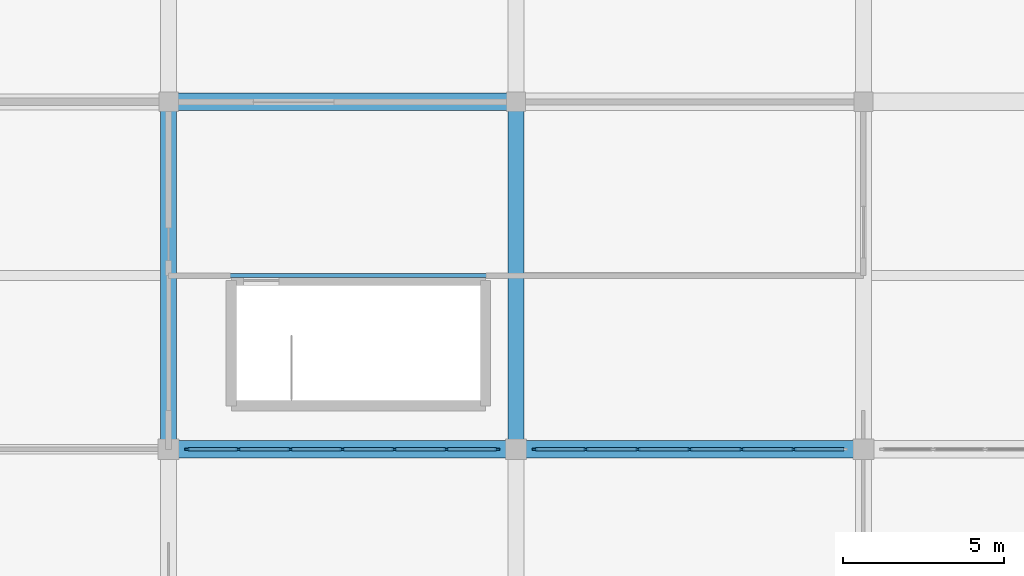
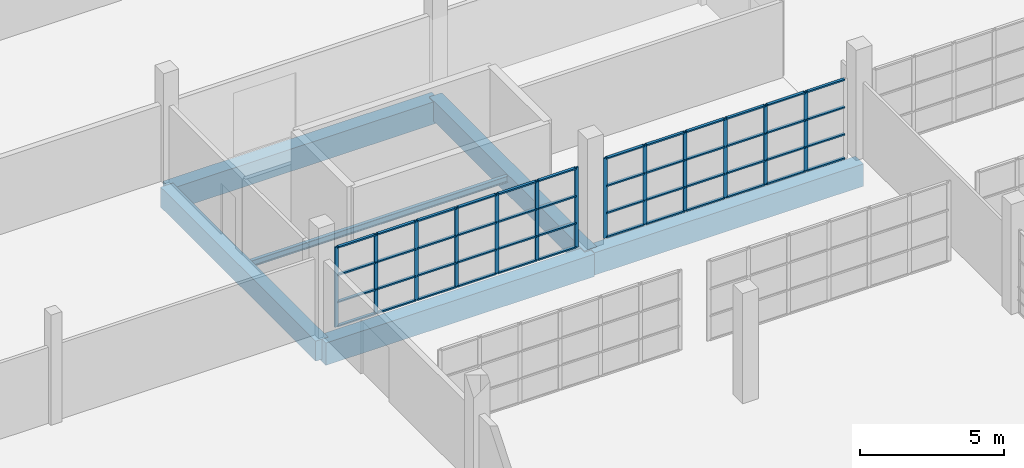
# One storey, part 46 of 142: 61 members, 6 beams, 2 elements without a shape of their own.
"""IFC4 building model written with IfcOpenShell, lengths in metres."""

from ifc_helpers import new_model, si_unit, direction, frame, origin, origin_2d, place, context, subcontext, project, spatial, rectangle, i_section, extrude, material, material_profile, profile_set, type_object, element, aggregate, save


model = new_model("IFC4")

# Units and contexts
model_context = context("Model", 3, precision=1e-05, world=origin(), true_north=direction((0.0, 1.0)))
body_context = subcontext(model_context, "Body", "Model", "MODEL_VIEW")
ifc_project = project(units=[si_unit("LENGTHUNIT", "METRE"), si_unit("AREAUNIT", "SQUARE_METRE"), si_unit("VOLUMEUNIT", "CUBIC_METRE"), si_unit("PLANEANGLEUNIT", "RADIAN"), si_unit("MASSUNIT", "GRAM", prefix="KILO")], contexts=[model_context])

# Site, building, storey
site_placement = place(None, origin())
site = spatial("IfcSite", under=ifc_project, at=site_placement, CompositionType="ELEMENT")
building_placement = place(site_placement, origin())
building = spatial("IfcBuilding", under=site, at=building_placement, Name="Zwinboog Wholesale Market", CompositionType="ELEMENT")
storey_placement = place(building_placement, frame((0.0, 0.0, 5.39990234375)))
storey = spatial("IfcBuildingStorey", under=building, at=storey_placement, Name="L01", CompositionType="ELEMENT", Elevation=5.39990234375)

# Beams
ifc_material_1 = material(Name="Precast concrete C45/55", Category="concrete")
ifc_material_profile_1 = material_profile(ifc_material_1, rectangle(XDim=0.550048828125, YDim=0.949951171875, at=origin_2d()), Name="PC 550x950")
ifc_profile_set_1 = profile_set([ifc_material_profile_1], Name="Precast concrete C45/55")
beam_type_1 = type_object("IfcBeamType", Name="BT-02", PredefinedType="BEAM", material=ifc_profile_set_1)
beam_1_placement = place(storey_placement, frame((64.800048828125, 97.199951171875, -0.806884765625), z_axis=(1.0, 0.0, 0.0), x_axis=(0.0, 1.0, 0.0)))
element("IfcBeam", 1, at=beam_1_placement, inside=storey, type_object=beam_type_1, Name="BG-02 (BMG-L01-0648-0972-0531)", PredefinedType="BEAM", context=body_context, shape_type="SweptSolid", body=[
    extrude(rectangle(XDim=0.550048828125, YDim=0.949951171875, at=origin_2d()), origin(), (0.0, 0.0, 1.0), 10.800048828125),
])
beam_2_placement = place(storey_placement, frame((75.60009765625, 97.199951171875, -0.7548828125), z_axis=(1.0, 0.0, 0.0), x_axis=(0.0, 1.0, 0.0)))
element("IfcBeam", 2, at=beam_2_placement, inside=storey, type_object=beam_type_1, Name="BG-02 (BMG-L01-0756-0972-0532)", PredefinedType="BEAM", context=body_context, shape_type="SweptSolid", body=[
    extrude(rectangle(XDim=0.550048828125, YDim=0.949951171875, at=origin_2d()), origin(), (0.0, 0.0, 1.0), 10.7998046875),
])
beam_3_placement = place(storey_placement, frame((64.800048828125, 108.0, -0.806884765625), z_axis=(1.0, 0.0, 0.0), x_axis=(0.0, 1.0, 0.0)))
element("IfcBeam", 3, at=beam_3_placement, inside=storey, type_object=beam_type_1, Name="BG-02 (BMG-L01-0648-1080-0547)", PredefinedType="BEAM", context=body_context, shape_type="SweptSolid", body=[
    extrude(rectangle(XDim=0.550048828125, YDim=0.949951171875, at=origin_2d()), origin(), (0.0, 0.0, 1.0), 10.800048828125),
])
ifc_material_profile_2 = material_profile(ifc_material_1, rectangle(XDim=0.5, YDim=0.85009765625, at=origin_2d()), Name="PC 500x850")
ifc_profile_set_2 = profile_set([ifc_material_profile_2], Name="Precast concrete C45/55")
beam_type_2 = type_object("IfcBeamType", Name="BT-03", PredefinedType="BEAM", material=ifc_profile_set_2)
for number, where, z_axis, x_axis, name in (
    (4, (64.800048828125, 97.199951171875, -0.7568359375), (0.0, 1.0, 0.0), (-1.0, 0.0, 0.0), "BG-03 (BMG-L01-0648-0972-0670)"),
    (5, (75.60009765625, 97.199951171875, -0.704833984375), (0.0, 1.0, 0.0), (-1.0, 0.0, 0.0), "BG-03 (BMG-L01-0756-0972-0678)"),
):
    element("IfcBeam", number, at=place(storey_placement, frame(where, z_axis=z_axis, x_axis=x_axis)), inside=storey, type_object=beam_type_2, Name=name, PredefinedType="BEAM", context=body_context, shape_type="SweptSolid", body=[
        extrude(rectangle(XDim=0.5, YDim=0.85009765625, at=origin_2d()), origin(), (0.0, 0.0, 1.0), 10.800048828125),
    ])
ifc_material_2 = material(Name="Steel S355", Category="steel")
ifc_material_profile_3 = material_profile(ifc_material_2, i_section(OverallWidth=0.135009765625, OverallDepth=0.27001953125, WebThickness=0.006591796875, FlangeThickness=0.01025390625, FilletRadius=0.014892578125, at=origin_2d()), Name="IPE 270")
ifc_profile_set_3 = profile_set([ifc_material_profile_3], Name="Steel S355")
beam_type_3 = type_object("IfcBeamType", Name="BT-21", PredefinedType="JOIST", material=ifc_profile_set_3)
beam_4_placement = place(storey_placement, frame((65.050048828125, 102.60009765625, -0.466796875), z_axis=(1.0, 0.0, 0.0), x_axis=(0.0, 1.0, 0.0)))
element("IfcBeam", 6, at=beam_4_placement, inside=storey, type_object=beam_type_3, Name="SJ-04 (BMG-L01-0650-1026-0824)", PredefinedType="JOIST", context=body_context, shape_type="SweptSolid", body=[
    extrude(i_section(OverallWidth=0.135009765625, OverallDepth=0.27001953125, WebThickness=0.006591796875, FlangeThickness=0.01025390625, FilletRadius=0.014892578125, at=origin_2d()), origin(), (0.0, 0.0, 1.0), 10.300048828125),
])

# Curtain wall, members
ifc_material_3 = material(Name="Aluminium thermally broken curtain wall", Category="aluminium")
curtain_wall_type = type_object("IfcCurtainWallType", Name="CWT-INT-STALL", PredefinedType="USERDEFINED", material=ifc_material_3)
curtain_wall_1_placement = place(storey_placement, origin())
curtain_wall_1 = element("IfcCurtainWall", 7, at=curtain_wall_1_placement, inside=storey, type_object=curtain_wall_type, Name="CW-07 (CW-STL-245)", ObjectType="STOREFRONT_GLAZING", PredefinedType="USERDEFINED")
ifc_material_4 = material(Name="Aluminium EN AW-6060", Category="aluminium")
ifc_material_profile_4 = material_profile(ifc_material_4, rectangle(XDim=0.06005859375, YDim=0.14990234375, at=origin_2d()), Name="AL 60x150")
ifc_profile_set_4 = profile_set([ifc_material_profile_4], Name="Aluminium EN AW-6060")
member_type_1 = type_object("IfcMemberType", Name="CWM-INT-60x120", PredefinedType="MULLION", material=ifc_profile_set_4)
member_1_placement = place(storey_placement, frame((65.3798828125, 97.199951171875, 0.0), z_axis=(0.0, 0.0, 1.0), x_axis=(0.0, 1.0, 0.0)))
member_1 = element("IfcMember", 8, at=member_1_placement, type_object=member_type_1, Name="CW-07 mullion 1", PredefinedType="MULLION", context=body_context, shape_type="SweptSolid", body=[
    extrude(rectangle(XDim=0.06005859375, YDim=0.14990234375, at=origin_2d()), origin(), (0.0, 0.0, 1.0), 3.400146484375),
])
member_2_placement = place(storey_placement, frame((66.966552734375, 97.199951171875, 0.0), z_axis=(0.0, 0.0, 1.0), x_axis=(0.0, 1.0, 0.0)))
member_2 = element("IfcMember", 9, at=member_2_placement, type_object=member_type_1, Name="CW-07 mullion 2", PredefinedType="MULLION", context=body_context, shape_type="SweptSolid", body=[
    extrude(rectangle(XDim=0.06005859375, YDim=0.14990234375, at=origin_2d()), origin(), (0.0, 0.0, 1.0), 3.400146484375),
])
member_3_placement = place(storey_placement, frame((68.583251953125, 97.199951171875, 0.0), z_axis=(0.0, 0.0, 1.0), x_axis=(0.0, 1.0, 0.0)))
member_3 = element("IfcMember", 10, at=member_3_placement, type_object=member_type_1, Name="CW-07 mullion 3", PredefinedType="MULLION", context=body_context, shape_type="SweptSolid", body=[
    extrude(rectangle(XDim=0.06005859375, YDim=0.14990234375, at=origin_2d()), origin(), (0.0, 0.0, 1.0), 3.400146484375),
])
member_4_placement = place(storey_placement, frame((70.199951171875, 97.199951171875, 0.0), z_axis=(0.0, 0.0, 1.0), x_axis=(0.0, 1.0, 0.0)))
member_4 = element("IfcMember", 11, at=member_4_placement, type_object=member_type_1, Name="CW-07 mullion 4", PredefinedType="MULLION", context=body_context, shape_type="SweptSolid", body=[
    extrude(rectangle(XDim=0.06005859375, YDim=0.14990234375, at=origin_2d()), origin(), (0.0, 0.0, 1.0), 3.400146484375),
])
member_5_placement = place(storey_placement, frame((71.816650390625, 97.199951171875, 0.0), z_axis=(0.0, 0.0, 1.0), x_axis=(0.0, 1.0, 0.0)))
member_5 = element("IfcMember", 12, at=member_5_placement, type_object=member_type_1, Name="CW-07 mullion 5", PredefinedType="MULLION", context=body_context, shape_type="SweptSolid", body=[
    extrude(rectangle(XDim=0.06005859375, YDim=0.14990234375, at=origin_2d()), origin(), (0.0, 0.0, 1.0), 3.400146484375),
])
member_6_placement = place(storey_placement, frame((73.433349609375, 97.199951171875, 0.0), z_axis=(0.0, 0.0, 1.0), x_axis=(0.0, 1.0, 0.0)))
member_6 = element("IfcMember", 13, at=member_6_placement, type_object=member_type_1, Name="CW-07 mullion 6", PredefinedType="MULLION", context=body_context, shape_type="SweptSolid", body=[
    extrude(rectangle(XDim=0.06005859375, YDim=0.14990234375, at=origin_2d()), origin(), (0.0, 0.0, 1.0), 3.400146484375),
])
member_7_placement = place(storey_placement, frame((75.02001953125, 97.199951171875, 0.0), z_axis=(0.0, 0.0, 1.0), x_axis=(0.0, 1.0, 0.0)))
member_7 = element("IfcMember", 14, at=member_7_placement, type_object=member_type_1, Name="CW-07 mullion 7", PredefinedType="MULLION", context=body_context, shape_type="SweptSolid", body=[
    extrude(rectangle(XDim=0.06005859375, YDim=0.14990234375, at=origin_2d()), origin(), (0.0, 0.0, 1.0), 3.400146484375),
])

curtain_wall_2_placement = place(storey_placement, origin())
curtain_wall_2 = element("IfcCurtainWall", 15, at=curtain_wall_2_placement, inside=storey, type_object=curtain_wall_type, Name="CW-07 (CW-STL-246)", ObjectType="STOREFRONT_GLAZING", PredefinedType="USERDEFINED")
member_8_placement = place(storey_placement, frame((76.179931640625, 97.199951171875, 0.0), z_axis=(0.0, 0.0, 1.0), x_axis=(0.0, 1.0, 0.0)))
member_8 = element("IfcMember", 16, at=member_8_placement, type_object=member_type_1, Name="CW-07 mullion 1", PredefinedType="MULLION", context=body_context, shape_type="SweptSolid", body=[
    extrude(rectangle(XDim=0.06005859375, YDim=0.14990234375, at=origin_2d()), origin(), (0.0, 0.0, 1.0), 3.400146484375),
])
member_9_placement = place(storey_placement, frame((77.7666015625, 97.199951171875, 0.0), z_axis=(0.0, 0.0, 1.0), x_axis=(0.0, 1.0, 0.0)))
member_9 = element("IfcMember", 17, at=member_9_placement, type_object=member_type_1, Name="CW-07 mullion 2", PredefinedType="MULLION", context=body_context, shape_type="SweptSolid", body=[
    extrude(rectangle(XDim=0.06005859375, YDim=0.14990234375, at=origin_2d()), origin(), (0.0, 0.0, 1.0), 3.400146484375),
])
member_10_placement = place(storey_placement, frame((79.38330078125, 97.199951171875, 0.0), z_axis=(0.0, 0.0, 1.0), x_axis=(0.0, 1.0, 0.0)))
member_10 = element("IfcMember", 18, at=member_10_placement, type_object=member_type_1, Name="CW-07 mullion 3", PredefinedType="MULLION", context=body_context, shape_type="SweptSolid", body=[
    extrude(rectangle(XDim=0.06005859375, YDim=0.14990234375, at=origin_2d()), origin(), (0.0, 0.0, 1.0), 3.400146484375),
])
member_11_placement = place(storey_placement, frame((81.0, 97.199951171875, 0.0), z_axis=(0.0, 0.0, 1.0), x_axis=(0.0, 1.0, 0.0)))
member_11 = element("IfcMember", 19, at=member_11_placement, type_object=member_type_1, Name="CW-07 mullion 4", PredefinedType="MULLION", context=body_context, shape_type="SweptSolid", body=[
    extrude(rectangle(XDim=0.06005859375, YDim=0.14990234375, at=origin_2d()), origin(), (0.0, 0.0, 1.0), 3.400146484375),
])
member_12_placement = place(storey_placement, frame((82.61669921875, 97.199951171875, 0.0), z_axis=(0.0, 0.0, 1.0), x_axis=(0.0, 1.0, 0.0)))
member_12 = element("IfcMember", 20, at=member_12_placement, type_object=member_type_1, Name="CW-07 mullion 5", PredefinedType="MULLION", context=body_context, shape_type="SweptSolid", body=[
    extrude(rectangle(XDim=0.06005859375, YDim=0.14990234375, at=origin_2d()), origin(), (0.0, 0.0, 1.0), 3.400146484375),
])
member_13_placement = place(storey_placement, frame((84.2333984375, 97.199951171875, 0.0), z_axis=(0.0, 0.0, 1.0), x_axis=(0.0, 1.0, 0.0)))
member_13 = element("IfcMember", 21, at=member_13_placement, type_object=member_type_1, Name="CW-07 mullion 6", PredefinedType="MULLION", context=body_context, shape_type="SweptSolid", body=[
    extrude(rectangle(XDim=0.06005859375, YDim=0.14990234375, at=origin_2d()), origin(), (0.0, 0.0, 1.0), 3.400146484375),
])

# Member
ifc_material_profile_5 = material_profile(ifc_material_4, rectangle(XDim=0.110107421875, YDim=0.06005859375, at=origin_2d()), Name="AL 60x110")
ifc_profile_set_5 = profile_set([ifc_material_profile_5], Name="Aluminium EN AW-6060")
member_type_2 = type_object("IfcMemberType", Name="CWT-INT-60x100", PredefinedType="USERDEFINED", material=ifc_profile_set_5)
member_14_placement = place(storey_placement, frame((65.409912109375, 97.199951171875, 0.030029296875), z_axis=(1.0, 0.0, 0.0), x_axis=(0.0, 1.0, 0.0)))
member_14 = element("IfcMember", 22, at=member_14_placement, type_object=member_type_2, Name="CW-07 transom 1.1", ObjectType="TRANSOM", PredefinedType="USERDEFINED", context=body_context, shape_type="SweptSolid", body=[
    extrude(rectangle(XDim=0.110107421875, YDim=0.06005859375, at=origin_2d()), origin(), (0.0, 0.0, 1.0), 1.52685546875),
])

member_15_placement = place(storey_placement, frame((65.409912109375, 97.199951171875, 1.050048828125), z_axis=(1.0, 0.0, 0.0), x_axis=(0.0, 1.0, 0.0)))
member_15 = element("IfcMember", 23, at=member_15_placement, type_object=member_type_2, Name="CW-07 transom 1.2", ObjectType="TRANSOM", PredefinedType="USERDEFINED", context=body_context, shape_type="SweptSolid", body=[
    extrude(rectangle(XDim=0.110107421875, YDim=0.06005859375, at=origin_2d()), origin(), (0.0, 0.0, 1.0), 1.52685546875),
])

member_16_placement = place(storey_placement, frame((65.409912109375, 97.199951171875, 2.2001953125), z_axis=(1.0, 0.0, 0.0), x_axis=(0.0, 1.0, 0.0)))
member_16 = element("IfcMember", 24, at=member_16_placement, type_object=member_type_2, Name="CW-07 transom 1.3", ObjectType="TRANSOM", PredefinedType="USERDEFINED", context=body_context, shape_type="SweptSolid", body=[
    extrude(rectangle(XDim=0.110107421875, YDim=0.06005859375, at=origin_2d()), origin(), (0.0, 0.0, 1.0), 1.52685546875),
])

member_17_placement = place(storey_placement, frame((65.409912109375, 97.199951171875, 3.3701171875), z_axis=(1.0, 0.0, 0.0), x_axis=(0.0, 1.0, 0.0)))
member_17 = element("IfcMember", 25, at=member_17_placement, type_object=member_type_2, Name="CW-07 transom 1.4", ObjectType="TRANSOM", PredefinedType="USERDEFINED", context=body_context, shape_type="SweptSolid", body=[
    extrude(rectangle(XDim=0.110107421875, YDim=0.06005859375, at=origin_2d()), origin(), (0.0, 0.0, 1.0), 1.52685546875),
])

member_18_placement = place(storey_placement, frame((66.99658203125, 97.199951171875, 0.030029296875), z_axis=(1.0, 0.0, 0.0), x_axis=(0.0, 1.0, 0.0)))
member_18 = element("IfcMember", 26, at=member_18_placement, type_object=member_type_2, Name="CW-07 transom 2.1", ObjectType="TRANSOM", PredefinedType="USERDEFINED", context=body_context, shape_type="SweptSolid", body=[
    extrude(rectangle(XDim=0.110107421875, YDim=0.06005859375, at=origin_2d()), origin(), (0.0, 0.0, 1.0), 1.556640625),
])

member_19_placement = place(storey_placement, frame((66.99658203125, 97.199951171875, 1.050048828125), z_axis=(1.0, 0.0, 0.0), x_axis=(0.0, 1.0, 0.0)))
member_19 = element("IfcMember", 27, at=member_19_placement, type_object=member_type_2, Name="CW-07 transom 2.2", ObjectType="TRANSOM", PredefinedType="USERDEFINED", context=body_context, shape_type="SweptSolid", body=[
    extrude(rectangle(XDim=0.110107421875, YDim=0.06005859375, at=origin_2d()), origin(), (0.0, 0.0, 1.0), 1.556640625),
])

member_20_placement = place(storey_placement, frame((66.99658203125, 97.199951171875, 2.2001953125), z_axis=(1.0, 0.0, 0.0), x_axis=(0.0, 1.0, 0.0)))
member_20 = element("IfcMember", 28, at=member_20_placement, type_object=member_type_2, Name="CW-07 transom 2.3", ObjectType="TRANSOM", PredefinedType="USERDEFINED", context=body_context, shape_type="SweptSolid", body=[
    extrude(rectangle(XDim=0.110107421875, YDim=0.06005859375, at=origin_2d()), origin(), (0.0, 0.0, 1.0), 1.556640625),
])

member_21_placement = place(storey_placement, frame((66.99658203125, 97.199951171875, 3.3701171875), z_axis=(1.0, 0.0, 0.0), x_axis=(0.0, 1.0, 0.0)))
member_21 = element("IfcMember", 29, at=member_21_placement, type_object=member_type_2, Name="CW-07 transom 2.4", ObjectType="TRANSOM", PredefinedType="USERDEFINED", context=body_context, shape_type="SweptSolid", body=[
    extrude(rectangle(XDim=0.110107421875, YDim=0.06005859375, at=origin_2d()), origin(), (0.0, 0.0, 1.0), 1.556640625),
])

member_22_placement = place(storey_placement, frame((68.61328125, 97.199951171875, 0.030029296875), z_axis=(1.0, 0.0, 0.0), x_axis=(0.0, 1.0, 0.0)))
member_22 = element("IfcMember", 30, at=member_22_placement, type_object=member_type_2, Name="CW-07 transom 3.1", ObjectType="TRANSOM", PredefinedType="USERDEFINED", context=body_context, shape_type="SweptSolid", body=[
    extrude(rectangle(XDim=0.110107421875, YDim=0.06005859375, at=origin_2d()), origin(), (0.0, 0.0, 1.0), 1.556640625),
])

member_23_placement = place(storey_placement, frame((68.61328125, 97.199951171875, 1.050048828125), z_axis=(1.0, 0.0, 0.0), x_axis=(0.0, 1.0, 0.0)))
member_23 = element("IfcMember", 31, at=member_23_placement, type_object=member_type_2, Name="CW-07 transom 3.2", ObjectType="TRANSOM", PredefinedType="USERDEFINED", context=body_context, shape_type="SweptSolid", body=[
    extrude(rectangle(XDim=0.110107421875, YDim=0.06005859375, at=origin_2d()), origin(), (0.0, 0.0, 1.0), 1.556640625),
])

member_24_placement = place(storey_placement, frame((68.61328125, 97.199951171875, 2.2001953125), z_axis=(1.0, 0.0, 0.0), x_axis=(0.0, 1.0, 0.0)))
member_24 = element("IfcMember", 32, at=member_24_placement, type_object=member_type_2, Name="CW-07 transom 3.3", ObjectType="TRANSOM", PredefinedType="USERDEFINED", context=body_context, shape_type="SweptSolid", body=[
    extrude(rectangle(XDim=0.110107421875, YDim=0.06005859375, at=origin_2d()), origin(), (0.0, 0.0, 1.0), 1.556640625),
])

member_25_placement = place(storey_placement, frame((68.61328125, 97.199951171875, 3.3701171875), z_axis=(1.0, 0.0, 0.0), x_axis=(0.0, 1.0, 0.0)))
member_25 = element("IfcMember", 33, at=member_25_placement, type_object=member_type_2, Name="CW-07 transom 3.4", ObjectType="TRANSOM", PredefinedType="USERDEFINED", context=body_context, shape_type="SweptSolid", body=[
    extrude(rectangle(XDim=0.110107421875, YDim=0.06005859375, at=origin_2d()), origin(), (0.0, 0.0, 1.0), 1.556640625),
])

member_26_placement = place(storey_placement, frame((70.22998046875, 97.199951171875, 0.030029296875), z_axis=(1.0, 0.0, 0.0), x_axis=(0.0, 1.0, 0.0)))
member_26 = element("IfcMember", 34, at=member_26_placement, type_object=member_type_2, Name="CW-07 transom 4.1", ObjectType="TRANSOM", PredefinedType="USERDEFINED", context=body_context, shape_type="SweptSolid", body=[
    extrude(rectangle(XDim=0.110107421875, YDim=0.06005859375, at=origin_2d()), origin(), (0.0, 0.0, 1.0), 1.556640625),
])

member_27_placement = place(storey_placement, frame((70.22998046875, 97.199951171875, 1.050048828125), z_axis=(1.0, 0.0, 0.0), x_axis=(0.0, 1.0, 0.0)))
member_27 = element("IfcMember", 35, at=member_27_placement, type_object=member_type_2, Name="CW-07 transom 4.2", ObjectType="TRANSOM", PredefinedType="USERDEFINED", context=body_context, shape_type="SweptSolid", body=[
    extrude(rectangle(XDim=0.110107421875, YDim=0.06005859375, at=origin_2d()), origin(), (0.0, 0.0, 1.0), 1.556640625),
])

member_28_placement = place(storey_placement, frame((70.22998046875, 97.199951171875, 2.2001953125), z_axis=(1.0, 0.0, 0.0), x_axis=(0.0, 1.0, 0.0)))
member_28 = element("IfcMember", 36, at=member_28_placement, type_object=member_type_2, Name="CW-07 transom 4.3", ObjectType="TRANSOM", PredefinedType="USERDEFINED", context=body_context, shape_type="SweptSolid", body=[
    extrude(rectangle(XDim=0.110107421875, YDim=0.06005859375, at=origin_2d()), origin(), (0.0, 0.0, 1.0), 1.556640625),
])

member_29_placement = place(storey_placement, frame((70.22998046875, 97.199951171875, 3.3701171875), z_axis=(1.0, 0.0, 0.0), x_axis=(0.0, 1.0, 0.0)))
member_29 = element("IfcMember", 37, at=member_29_placement, type_object=member_type_2, Name="CW-07 transom 4.4", ObjectType="TRANSOM", PredefinedType="USERDEFINED", context=body_context, shape_type="SweptSolid", body=[
    extrude(rectangle(XDim=0.110107421875, YDim=0.06005859375, at=origin_2d()), origin(), (0.0, 0.0, 1.0), 1.556640625),
])

member_30_placement = place(storey_placement, frame((71.8466796875, 97.199951171875, 0.030029296875), z_axis=(1.0, 0.0, 0.0), x_axis=(0.0, 1.0, 0.0)))
member_30 = element("IfcMember", 38, at=member_30_placement, type_object=member_type_2, Name="CW-07 transom 5.1", ObjectType="TRANSOM", PredefinedType="USERDEFINED", context=body_context, shape_type="SweptSolid", body=[
    extrude(rectangle(XDim=0.110107421875, YDim=0.06005859375, at=origin_2d()), origin(), (0.0, 0.0, 1.0), 1.556640625),
])

member_31_placement = place(storey_placement, frame((71.8466796875, 97.199951171875, 1.050048828125), z_axis=(1.0, 0.0, 0.0), x_axis=(0.0, 1.0, 0.0)))
member_31 = element("IfcMember", 39, at=member_31_placement, type_object=member_type_2, Name="CW-07 transom 5.2", ObjectType="TRANSOM", PredefinedType="USERDEFINED", context=body_context, shape_type="SweptSolid", body=[
    extrude(rectangle(XDim=0.110107421875, YDim=0.06005859375, at=origin_2d()), origin(), (0.0, 0.0, 1.0), 1.556640625),
])

member_32_placement = place(storey_placement, frame((71.8466796875, 97.199951171875, 2.2001953125), z_axis=(1.0, 0.0, 0.0), x_axis=(0.0, 1.0, 0.0)))
member_32 = element("IfcMember", 40, at=member_32_placement, type_object=member_type_2, Name="CW-07 transom 5.3", ObjectType="TRANSOM", PredefinedType="USERDEFINED", context=body_context, shape_type="SweptSolid", body=[
    extrude(rectangle(XDim=0.110107421875, YDim=0.06005859375, at=origin_2d()), origin(), (0.0, 0.0, 1.0), 1.556640625),
])

member_33_placement = place(storey_placement, frame((71.8466796875, 97.199951171875, 3.3701171875), z_axis=(1.0, 0.0, 0.0), x_axis=(0.0, 1.0, 0.0)))
member_33 = element("IfcMember", 41, at=member_33_placement, type_object=member_type_2, Name="CW-07 transom 5.4", ObjectType="TRANSOM", PredefinedType="USERDEFINED", context=body_context, shape_type="SweptSolid", body=[
    extrude(rectangle(XDim=0.110107421875, YDim=0.06005859375, at=origin_2d()), origin(), (0.0, 0.0, 1.0), 1.556640625),
])

member_34_placement = place(storey_placement, frame((73.46337890625, 97.199951171875, 0.030029296875), z_axis=(1.0, 0.0, 0.0), x_axis=(0.0, 1.0, 0.0)))
member_34 = element("IfcMember", 42, at=member_34_placement, type_object=member_type_2, Name="CW-07 transom 6.1", ObjectType="TRANSOM", PredefinedType="USERDEFINED", context=body_context, shape_type="SweptSolid", body=[
    extrude(rectangle(XDim=0.110107421875, YDim=0.06005859375, at=origin_2d()), origin(), (0.0, 0.0, 1.0), 1.526611328125),
])

member_35_placement = place(storey_placement, frame((73.46337890625, 97.199951171875, 1.050048828125), z_axis=(1.0, 0.0, 0.0), x_axis=(0.0, 1.0, 0.0)))
member_35 = element("IfcMember", 43, at=member_35_placement, type_object=member_type_2, Name="CW-07 transom 6.2", ObjectType="TRANSOM", PredefinedType="USERDEFINED", context=body_context, shape_type="SweptSolid", body=[
    extrude(rectangle(XDim=0.110107421875, YDim=0.06005859375, at=origin_2d()), origin(), (0.0, 0.0, 1.0), 1.526611328125),
])

member_36_placement = place(storey_placement, frame((73.46337890625, 97.199951171875, 2.2001953125), z_axis=(1.0, 0.0, 0.0), x_axis=(0.0, 1.0, 0.0)))
member_36 = element("IfcMember", 44, at=member_36_placement, type_object=member_type_2, Name="CW-07 transom 6.3", ObjectType="TRANSOM", PredefinedType="USERDEFINED", context=body_context, shape_type="SweptSolid", body=[
    extrude(rectangle(XDim=0.110107421875, YDim=0.06005859375, at=origin_2d()), origin(), (0.0, 0.0, 1.0), 1.526611328125),
])

member_37_placement = place(storey_placement, frame((73.46337890625, 97.199951171875, 3.3701171875), z_axis=(1.0, 0.0, 0.0), x_axis=(0.0, 1.0, 0.0)))
member_37 = element("IfcMember", 45, at=member_37_placement, type_object=member_type_2, Name="CW-07 transom 6.4", ObjectType="TRANSOM", PredefinedType="USERDEFINED", context=body_context, shape_type="SweptSolid", body=[
    extrude(rectangle(XDim=0.110107421875, YDim=0.06005859375, at=origin_2d()), origin(), (0.0, 0.0, 1.0), 1.526611328125),
])

aggregate(curtain_wall_1, [member_1, member_2, member_3, member_4, member_5, member_6, member_7, member_14, member_15, member_16, member_17, member_18, member_19, member_20, member_21, member_22, member_23, member_24, member_25, member_26, member_27, member_28, member_29, member_30, member_31, member_32, member_33, member_34, member_35, member_36, member_37])

member_38_placement = place(storey_placement, frame((76.2099609375, 97.199951171875, 0.030029296875), z_axis=(1.0, 0.0, 0.0), x_axis=(0.0, 1.0, 0.0)))
member_38 = element("IfcMember", 46, at=member_38_placement, type_object=member_type_2, Name="CW-07 transom 1.1", ObjectType="TRANSOM", PredefinedType="USERDEFINED", context=body_context, shape_type="SweptSolid", body=[
    extrude(rectangle(XDim=0.110107421875, YDim=0.06005859375, at=origin_2d()), origin(), (0.0, 0.0, 1.0), 1.526611328125),
])

member_39_placement = place(storey_placement, frame((76.2099609375, 97.199951171875, 1.050048828125), z_axis=(1.0, 0.0, 0.0), x_axis=(0.0, 1.0, 0.0)))
member_39 = element("IfcMember", 47, at=member_39_placement, type_object=member_type_2, Name="CW-07 transom 1.2", ObjectType="TRANSOM", PredefinedType="USERDEFINED", context=body_context, shape_type="SweptSolid", body=[
    extrude(rectangle(XDim=0.110107421875, YDim=0.06005859375, at=origin_2d()), origin(), (0.0, 0.0, 1.0), 1.526611328125),
])

member_40_placement = place(storey_placement, frame((76.2099609375, 97.199951171875, 2.2001953125), z_axis=(1.0, 0.0, 0.0), x_axis=(0.0, 1.0, 0.0)))
member_40 = element("IfcMember", 48, at=member_40_placement, type_object=member_type_2, Name="CW-07 transom 1.3", ObjectType="TRANSOM", PredefinedType="USERDEFINED", context=body_context, shape_type="SweptSolid", body=[
    extrude(rectangle(XDim=0.110107421875, YDim=0.06005859375, at=origin_2d()), origin(), (0.0, 0.0, 1.0), 1.526611328125),
])

member_41_placement = place(storey_placement, frame((76.2099609375, 97.199951171875, 3.3701171875), z_axis=(1.0, 0.0, 0.0), x_axis=(0.0, 1.0, 0.0)))
member_41 = element("IfcMember", 49, at=member_41_placement, type_object=member_type_2, Name="CW-07 transom 1.4", ObjectType="TRANSOM", PredefinedType="USERDEFINED", context=body_context, shape_type="SweptSolid", body=[
    extrude(rectangle(XDim=0.110107421875, YDim=0.06005859375, at=origin_2d()), origin(), (0.0, 0.0, 1.0), 1.526611328125),
])

member_42_placement = place(storey_placement, frame((77.796630859375, 97.199951171875, 0.030029296875), z_axis=(1.0, 0.0, 0.0), x_axis=(0.0, 1.0, 0.0)))
member_42 = element("IfcMember", 50, at=member_42_placement, type_object=member_type_2, Name="CW-07 transom 2.1", ObjectType="TRANSOM", PredefinedType="USERDEFINED", context=body_context, shape_type="SweptSolid", body=[
    extrude(rectangle(XDim=0.110107421875, YDim=0.06005859375, at=origin_2d()), origin(), (0.0, 0.0, 1.0), 1.556640625),
])

member_43_placement = place(storey_placement, frame((77.796630859375, 97.199951171875, 1.050048828125), z_axis=(1.0, 0.0, 0.0), x_axis=(0.0, 1.0, 0.0)))
member_43 = element("IfcMember", 51, at=member_43_placement, type_object=member_type_2, Name="CW-07 transom 2.2", ObjectType="TRANSOM", PredefinedType="USERDEFINED", context=body_context, shape_type="SweptSolid", body=[
    extrude(rectangle(XDim=0.110107421875, YDim=0.06005859375, at=origin_2d()), origin(), (0.0, 0.0, 1.0), 1.556640625),
])

member_44_placement = place(storey_placement, frame((77.796630859375, 97.199951171875, 2.2001953125), z_axis=(1.0, 0.0, 0.0), x_axis=(0.0, 1.0, 0.0)))
member_44 = element("IfcMember", 52, at=member_44_placement, type_object=member_type_2, Name="CW-07 transom 2.3", ObjectType="TRANSOM", PredefinedType="USERDEFINED", context=body_context, shape_type="SweptSolid", body=[
    extrude(rectangle(XDim=0.110107421875, YDim=0.06005859375, at=origin_2d()), origin(), (0.0, 0.0, 1.0), 1.556640625),
])

member_45_placement = place(storey_placement, frame((77.796630859375, 97.199951171875, 3.3701171875), z_axis=(1.0, 0.0, 0.0), x_axis=(0.0, 1.0, 0.0)))
member_45 = element("IfcMember", 53, at=member_45_placement, type_object=member_type_2, Name="CW-07 transom 2.4", ObjectType="TRANSOM", PredefinedType="USERDEFINED", context=body_context, shape_type="SweptSolid", body=[
    extrude(rectangle(XDim=0.110107421875, YDim=0.06005859375, at=origin_2d()), origin(), (0.0, 0.0, 1.0), 1.556640625),
])

member_46_placement = place(storey_placement, frame((79.413330078125, 97.199951171875, 0.030029296875), z_axis=(1.0, 0.0, 0.0), x_axis=(0.0, 1.0, 0.0)))
member_46 = element("IfcMember", 54, at=member_46_placement, type_object=member_type_2, Name="CW-07 transom 3.1", ObjectType="TRANSOM", PredefinedType="USERDEFINED", context=body_context, shape_type="SweptSolid", body=[
    extrude(rectangle(XDim=0.110107421875, YDim=0.06005859375, at=origin_2d()), origin(), (0.0, 0.0, 1.0), 1.556640625),
])

member_47_placement = place(storey_placement, frame((79.413330078125, 97.199951171875, 1.050048828125), z_axis=(1.0, 0.0, 0.0), x_axis=(0.0, 1.0, 0.0)))
member_47 = element("IfcMember", 55, at=member_47_placement, type_object=member_type_2, Name="CW-07 transom 3.2", ObjectType="TRANSOM", PredefinedType="USERDEFINED", context=body_context, shape_type="SweptSolid", body=[
    extrude(rectangle(XDim=0.110107421875, YDim=0.06005859375, at=origin_2d()), origin(), (0.0, 0.0, 1.0), 1.556640625),
])

member_48_placement = place(storey_placement, frame((79.413330078125, 97.199951171875, 2.2001953125), z_axis=(1.0, 0.0, 0.0), x_axis=(0.0, 1.0, 0.0)))
member_48 = element("IfcMember", 56, at=member_48_placement, type_object=member_type_2, Name="CW-07 transom 3.3", ObjectType="TRANSOM", PredefinedType="USERDEFINED", context=body_context, shape_type="SweptSolid", body=[
    extrude(rectangle(XDim=0.110107421875, YDim=0.06005859375, at=origin_2d()), origin(), (0.0, 0.0, 1.0), 1.556640625),
])

member_49_placement = place(storey_placement, frame((79.413330078125, 97.199951171875, 3.3701171875), z_axis=(1.0, 0.0, 0.0), x_axis=(0.0, 1.0, 0.0)))
member_49 = element("IfcMember", 57, at=member_49_placement, type_object=member_type_2, Name="CW-07 transom 3.4", ObjectType="TRANSOM", PredefinedType="USERDEFINED", context=body_context, shape_type="SweptSolid", body=[
    extrude(rectangle(XDim=0.110107421875, YDim=0.06005859375, at=origin_2d()), origin(), (0.0, 0.0, 1.0), 1.556640625),
])

member_50_placement = place(storey_placement, frame((81.030029296875, 97.199951171875, 0.030029296875), z_axis=(1.0, 0.0, 0.0), x_axis=(0.0, 1.0, 0.0)))
member_50 = element("IfcMember", 58, at=member_50_placement, type_object=member_type_2, Name="CW-07 transom 4.1", ObjectType="TRANSOM", PredefinedType="USERDEFINED", context=body_context, shape_type="SweptSolid", body=[
    extrude(rectangle(XDim=0.110107421875, YDim=0.06005859375, at=origin_2d()), origin(), (0.0, 0.0, 1.0), 1.556640625),
])

member_51_placement = place(storey_placement, frame((81.030029296875, 97.199951171875, 1.050048828125), z_axis=(1.0, 0.0, 0.0), x_axis=(0.0, 1.0, 0.0)))
member_51 = element("IfcMember", 59, at=member_51_placement, type_object=member_type_2, Name="CW-07 transom 4.2", ObjectType="TRANSOM", PredefinedType="USERDEFINED", context=body_context, shape_type="SweptSolid", body=[
    extrude(rectangle(XDim=0.110107421875, YDim=0.06005859375, at=origin_2d()), origin(), (0.0, 0.0, 1.0), 1.556640625),
])

member_52_placement = place(storey_placement, frame((81.030029296875, 97.199951171875, 2.2001953125), z_axis=(1.0, 0.0, 0.0), x_axis=(0.0, 1.0, 0.0)))
member_52 = element("IfcMember", 60, at=member_52_placement, type_object=member_type_2, Name="CW-07 transom 4.3", ObjectType="TRANSOM", PredefinedType="USERDEFINED", context=body_context, shape_type="SweptSolid", body=[
    extrude(rectangle(XDim=0.110107421875, YDim=0.06005859375, at=origin_2d()), origin(), (0.0, 0.0, 1.0), 1.556640625),
])

member_53_placement = place(storey_placement, frame((81.030029296875, 97.199951171875, 3.3701171875), z_axis=(1.0, 0.0, 0.0), x_axis=(0.0, 1.0, 0.0)))
member_53 = element("IfcMember", 61, at=member_53_placement, type_object=member_type_2, Name="CW-07 transom 4.4", ObjectType="TRANSOM", PredefinedType="USERDEFINED", context=body_context, shape_type="SweptSolid", body=[
    extrude(rectangle(XDim=0.110107421875, YDim=0.06005859375, at=origin_2d()), origin(), (0.0, 0.0, 1.0), 1.556640625),
])

member_54_placement = place(storey_placement, frame((82.646728515625, 97.199951171875, 0.030029296875), z_axis=(1.0, 0.0, 0.0), x_axis=(0.0, 1.0, 0.0)))
member_54 = element("IfcMember", 62, at=member_54_placement, type_object=member_type_2, Name="CW-07 transom 5.1", ObjectType="TRANSOM", PredefinedType="USERDEFINED", context=body_context, shape_type="SweptSolid", body=[
    extrude(rectangle(XDim=0.110107421875, YDim=0.06005859375, at=origin_2d()), origin(), (0.0, 0.0, 1.0), 1.556640625),
])

member_55_placement = place(storey_placement, frame((82.646728515625, 97.199951171875, 1.050048828125), z_axis=(1.0, 0.0, 0.0), x_axis=(0.0, 1.0, 0.0)))
member_55 = element("IfcMember", 63, at=member_55_placement, type_object=member_type_2, Name="CW-07 transom 5.2", ObjectType="TRANSOM", PredefinedType="USERDEFINED", context=body_context, shape_type="SweptSolid", body=[
    extrude(rectangle(XDim=0.110107421875, YDim=0.06005859375, at=origin_2d()), origin(), (0.0, 0.0, 1.0), 1.556640625),
])

member_56_placement = place(storey_placement, frame((82.646728515625, 97.199951171875, 2.2001953125), z_axis=(1.0, 0.0, 0.0), x_axis=(0.0, 1.0, 0.0)))
member_56 = element("IfcMember", 64, at=member_56_placement, type_object=member_type_2, Name="CW-07 transom 5.3", ObjectType="TRANSOM", PredefinedType="USERDEFINED", context=body_context, shape_type="SweptSolid", body=[
    extrude(rectangle(XDim=0.110107421875, YDim=0.06005859375, at=origin_2d()), origin(), (0.0, 0.0, 1.0), 1.556640625),
])

member_57_placement = place(storey_placement, frame((82.646728515625, 97.199951171875, 3.3701171875), z_axis=(1.0, 0.0, 0.0), x_axis=(0.0, 1.0, 0.0)))
member_57 = element("IfcMember", 65, at=member_57_placement, type_object=member_type_2, Name="CW-07 transom 5.4", ObjectType="TRANSOM", PredefinedType="USERDEFINED", context=body_context, shape_type="SweptSolid", body=[
    extrude(rectangle(XDim=0.110107421875, YDim=0.06005859375, at=origin_2d()), origin(), (0.0, 0.0, 1.0), 1.556640625),
])

member_58_placement = place(storey_placement, frame((84.263427734375, 97.199951171875, 0.030029296875), z_axis=(1.0, 0.0, 0.0), x_axis=(0.0, 1.0, 0.0)))
member_58 = element("IfcMember", 66, at=member_58_placement, type_object=member_type_2, Name="CW-07 transom 6.1", ObjectType="TRANSOM", PredefinedType="USERDEFINED", context=body_context, shape_type="SweptSolid", body=[
    extrude(rectangle(XDim=0.110107421875, YDim=0.06005859375, at=origin_2d()), origin(), (0.0, 0.0, 1.0), 1.526611328125),
])

member_59_placement = place(storey_placement, frame((84.263427734375, 97.199951171875, 1.050048828125), z_axis=(1.0, 0.0, 0.0), x_axis=(0.0, 1.0, 0.0)))
member_59 = element("IfcMember", 67, at=member_59_placement, type_object=member_type_2, Name="CW-07 transom 6.2", ObjectType="TRANSOM", PredefinedType="USERDEFINED", context=body_context, shape_type="SweptSolid", body=[
    extrude(rectangle(XDim=0.110107421875, YDim=0.06005859375, at=origin_2d()), origin(), (0.0, 0.0, 1.0), 1.526611328125),
])

member_60_placement = place(storey_placement, frame((84.263427734375, 97.199951171875, 2.2001953125), z_axis=(1.0, 0.0, 0.0), x_axis=(0.0, 1.0, 0.0)))
member_60 = element("IfcMember", 68, at=member_60_placement, type_object=member_type_2, Name="CW-07 transom 6.3", ObjectType="TRANSOM", PredefinedType="USERDEFINED", context=body_context, shape_type="SweptSolid", body=[
    extrude(rectangle(XDim=0.110107421875, YDim=0.06005859375, at=origin_2d()), origin(), (0.0, 0.0, 1.0), 1.526611328125),
])

member_61_placement = place(storey_placement, frame((84.263427734375, 97.199951171875, 3.3701171875), z_axis=(1.0, 0.0, 0.0), x_axis=(0.0, 1.0, 0.0)))
member_61 = element("IfcMember", 69, at=member_61_placement, type_object=member_type_2, Name="CW-07 transom 6.4", ObjectType="TRANSOM", PredefinedType="USERDEFINED", context=body_context, shape_type="SweptSolid", body=[
    extrude(rectangle(XDim=0.110107421875, YDim=0.06005859375, at=origin_2d()), origin(), (0.0, 0.0, 1.0), 1.526611328125),
])

aggregate(curtain_wall_2, [member_8, member_9, member_10, member_11, member_12, member_13, member_38, member_39, member_40, member_41, member_42, member_43, member_44, member_45, member_46, member_47, member_48, member_49, member_50, member_51, member_52, member_53, member_54, member_55, member_56, member_57, member_58, member_59, member_60, member_61])

save(model, "model.ifc")
